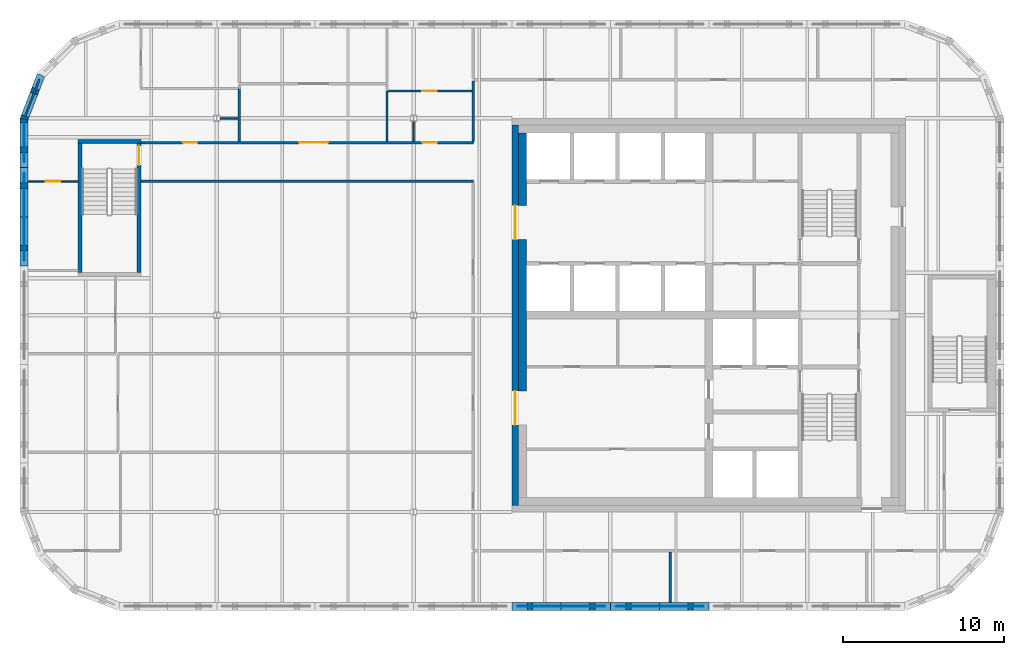
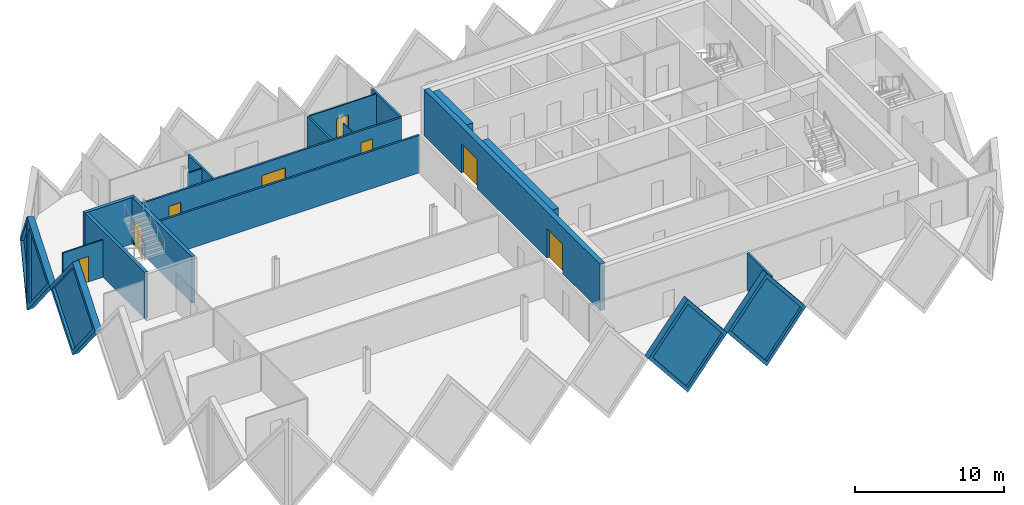
# One storey, part 4 of 10: 21 walls, 8 doors, 5 plates, 13 openings.
"""IFC4 building model written with IfcOpenShell, lengths in metres."""

from ifc_helpers import new_model, si_unit, direction, frame, frame_2d, origin, place, context, subcontext, project, spatial, polyline, rectangle, outline, extrude, faceted_brep, source, transform, mapped, material, layer, layer_set, type_object, element, fill, save


model = new_model("IFC4")

# Units and contexts
model_context = context("Model", 3, precision=1e-05, world=origin(), true_north=direction((0.0, 1.0)))
body_context = subcontext(model_context, "Body", "Model", "MODEL_VIEW")
ifc_project = project(units=[si_unit("LENGTHUNIT", "METRE"), si_unit("AREAUNIT", "SQUARE_METRE"), si_unit("VOLUMEUNIT", "CUBIC_METRE"), si_unit("PLANEANGLEUNIT", "RADIAN"), si_unit("MASSUNIT", "GRAM", prefix="KILO")], contexts=[model_context])

# Site, building, storey
site_placement = place(None, origin())
site = spatial("IfcSite", under=ifc_project, at=site_placement, CompositionType="ELEMENT")
building_placement = place(site_placement, origin())
building = spatial("IfcBuilding", under=site, at=building_placement, Name="Tessera Gate Towers", CompositionType="ELEMENT")
storey_placement = place(building_placement, frame((0.0, 0.0, 248.300048828125)))
storey = spatial("IfcBuildingStorey", under=building, at=storey_placement, Name="L62", CompositionType="ELEMENT", Elevation=248.300048828125)

# Walls
ifc_material_1 = material(Name="Concrete C40/50", Category="concrete")
ifc_layer_1 = layer(ifc_material_1, 0.25)
ifc_layer_set_1 = layer_set([ifc_layer_1], Name="CORE ENCLOSURE WALL 250")
wall_type_1 = type_object("IfcWallType", Name="CORE ENCLOSURE WALL 250", PredefinedType="SOLIDWALL", material=ifc_layer_set_1)
wall_1_placement = place(storey_placement, frame((3.72509765625, 39.25, 0.0), z_axis=(0.0, 0.0, 1.0), x_axis=(0.0, 1.0, 0.0)))
element("IfcWall", 1, at=wall_1_placement, inside=storey, type_object=wall_type_1, Name="L62 ST3 enclosure wall", PredefinedType="SOLIDWALL", context=body_context, shape_type="SweptSolid", body=[
    extrude(rectangle(XDim=8.0, YDim=0.25, at=frame_2d((4.0, 0.0))), origin(), (0.0, 0.0, 1.0), 3.800048828125),
])
wall_2_placement = place(storey_placement, frame((3.60009765625, 47.375, 0.0), z_axis=(0.0, 0.0, 1.0), x_axis=(1.0, 0.0, 0.0)))
element("IfcWall", 2, at=wall_2_placement, inside=storey, type_object=wall_type_1, Name="L62 ST3 enclosure wall", PredefinedType="SOLIDWALL", context=body_context, shape_type="SweptSolid", body=[
    extrude(rectangle(XDim=3.89990234375, YDim=0.25, at=frame_2d((1.949951171875, 0.0))), origin(), (0.0, 0.0, 1.0), 3.800048828125),
])

# Wall, opening, door
wall_3_placement = place(storey_placement, frame((7.375, 47.25, 0.0), z_axis=(0.0, 0.0, 1.0), x_axis=(0.0, -1.0, 0.0)))
wall_3 = element("IfcWall", 3, at=wall_3_placement, inside=storey, type_object=wall_type_1, Name="L62 ST3 enclosure wall", PredefinedType="SOLIDWALL", context=body_context, shape_type="SweptSolid", body=[
    extrude(rectangle(XDim=8.0, YDim=0.25, at=frame_2d((4.0, 0.0))), origin(), (0.0, 0.0, 1.0), 3.800048828125),
])
shared_shape_1 = source(origin(), body_context, "Body", "SweptSolid", [
    extrude(rectangle(XDim=1.199951171875, YDim=2.10009765625, at=frame_2d((0.60009765625, 1.050048828125))), frame((0.0, 0.135009765625, 0.0), z_axis=(0.0, -1.0, 0.0), x_axis=(1.0, 0.0, 0.0)), (0.0, 0.0, 1.0), 0.27001953125),
])
opening_1_placement = place(wall_3_placement, frame((0.14990234375, 0.0, 0.0)))
opening_1 = element("IfcOpeningElement", 4, at=opening_1_placement, cuts=wall_3, Name="Opening SD-ST3-1", PredefinedType="OPENING", context=body_context, shape_type="MappedRepresentation", body=[
    mapped(shared_shape_1, transform((0.0, 0.0, 0.0), scale=1.0)),
])
ifc_material_2 = material(Name="Hollow steel fire door", Category="steel")
door_type_1 = type_object("IfcDoorType", Name="CORE DOOR SD 1200x2100", OperationType="NOTDEFINED", PredefinedType="DOOR", material=ifc_material_2)
shared_shape_2 = source(origin(), body_context, "Body", "SweptSolid", [
    extrude(rectangle(XDim=1.199951171875, YDim=2.10009765625, at=frame_2d((0.60009765625, 1.050048828125))), frame((0.0, 0.02490234375, 0.0), z_axis=(0.0, -1.0, 0.0), x_axis=(1.0, 0.0, 0.0)), (0.0, 0.0, 1.0), 0.050048828125),
])
door_1_placement = place(opening_1_placement, origin())
door_1 = element("IfcDoor", 5, at=door_1_placement, inside=storey, type_object=door_type_1, Name="Stair door", OperationType="SINGLE_SWING_LEFT", OverallHeight=2.10009765625, OverallWidth=1.199951171875, PredefinedType="DOOR", context=body_context, shape_type="MappedRepresentation", body=[
    mapped(shared_shape_2, transform((0.0, 0.0, 0.0), scale=1.0)),
])
fill(opening_1, door_1)

# Wall, openings, doors
ifc_material_3 = material(Name="Concrete C40/50", Category="concrete")
ifc_layer_2 = layer(ifc_material_3, 0.39990234375)
ifc_layer_set_2 = layer_set([ifc_layer_2], Name="CORE SHEAR WALL 400 C40/50")
wall_type_2 = type_object("IfcWallType", Name="CORE SHEAR WALL 400 C40/50", PredefinedType="SHEAR", material=ifc_layer_set_2)
wall_4_placement = place(storey_placement, frame((30.699951171875, 24.800048828125, 0.0), z_axis=(0.0, 0.0, 1.0), x_axis=(0.0, 1.0, 0.0)))
wall_4 = element("IfcWall", 6, at=wall_4_placement, inside=storey, type_object=wall_type_2, Name="Core wall W L62", PredefinedType="SHEAR", context=body_context, shape_type="SweptSolid", body=[
    extrude(rectangle(XDim=23.599853515625, YDim=0.39990234375, at=frame_2d((11.7998046875, 0.0))), origin(), (0.0, 0.0, 1.0), 3.800048828125),
])
shared_shape_3 = source(origin(), body_context, "Body", "SweptSolid", [
    extrude(rectangle(XDim=2.10009765625, YDim=2.39990234375, at=frame_2d((1.050048828125, 1.199951171875))), frame((0.0, 0.2099609375, 0.0), z_axis=(0.0, -1.0, 0.0), x_axis=(1.0, 0.0, 0.0)), (0.0, 0.0, 1.0), 0.419921875),
])
opening_2_placement = place(wall_4_placement, frame((5.0, 0.0, 0.0)))
opening_2 = element("IfcOpeningElement", 7, at=opening_2_placement, cuts=wall_4, Name="Opening DD-T1-37-02", PredefinedType="OPENING", context=body_context, shape_type="MappedRepresentation", body=[
    mapped(shared_shape_3, transform((0.0, 0.0, 0.0), scale=1.0)),
])
opening_3_placement = place(wall_4_placement, frame((16.5, 0.0, 0.0)))
opening_3 = element("IfcOpeningElement", 8, at=opening_3_placement, cuts=wall_4, Name="Opening DD-T1-37-03", PredefinedType="OPENING", context=body_context, shape_type="MappedRepresentation", body=[
    mapped(shared_shape_3, transform((0.0, 0.0, 0.0), scale=1.0)),
])
ifc_material_4 = material(Name="Hollow steel fire door", Category="steel")
door_type_2 = type_object("IfcDoorType", Name="CORE DOOR DD 2100x2400", OperationType="NOTDEFINED", PredefinedType="DOOR", material=ifc_material_4)
shared_shape_4 = source(origin(), body_context, "Body", "SweptSolid", [
    extrude(rectangle(XDim=2.10009765625, YDim=2.39990234375, at=frame_2d((1.050048828125, 1.199951171875))), frame((0.0, 0.02490234375, 0.0), z_axis=(0.0, -1.0, 0.0), x_axis=(1.0, 0.0, 0.0)), (0.0, 0.0, 1.0), 0.050048828125),
])
door_2_placement = place(opening_2_placement, origin())
door_2 = element("IfcDoor", 9, at=door_2_placement, inside=storey, type_object=door_type_2, Name="Core entrance door", OperationType="DOUBLE_DOOR_SINGLE_SWING", OverallHeight=2.39990234375, OverallWidth=2.10009765625, PredefinedType="DOOR", context=body_context, shape_type="MappedRepresentation", body=[
    mapped(shared_shape_4, transform((0.0, 0.0, 0.0), scale=1.0)),
])
fill(opening_2, door_2)
door_3_placement = place(opening_3_placement, origin())
door_3 = element("IfcDoor", 10, at=door_3_placement, inside=storey, type_object=door_type_2, Name="Core entrance door", OperationType="DOUBLE_DOOR_SINGLE_SWING", OverallHeight=2.39990234375, OverallWidth=2.10009765625, PredefinedType="DOOR", context=body_context, shape_type="MappedRepresentation", body=[
    mapped(shared_shape_4, transform((0.0, 0.0, 0.0), scale=1.0)),
])
fill(opening_3, door_3)

# Walls
ifc_material_5 = material(Name="Concrete C40/50", Category="concrete")
ifc_layer_3 = layer(ifc_material_5, 0.5)
ifc_layer_set_3 = layer_set([ifc_layer_3], Name="CORE WALL THICKENING 500")
wall_type_3 = type_object("IfcWallType", Name="CORE WALL THICKENING 500", PredefinedType="SOLIDWALL", material=ifc_layer_set_3)
wall_5_placement = place(storey_placement, frame((31.14990234375, 31.89990234375, 0.0), z_axis=(0.0, 0.0, 1.0), x_axis=(0.0, 1.0, 0.0)))
element("IfcWall", 11, at=wall_5_placement, inside=storey, type_object=wall_type_3, Name="Core wall thickening W L62", PredefinedType="SOLIDWALL", context=body_context, shape_type="SweptSolid", body=[
    extrude(rectangle(XDim=9.400146484375, YDim=0.5, at=frame_2d((4.7001953125, 0.0))), origin(), (0.0, 0.0, 1.0), 3.800048828125),
])
wall_6_placement = place(storey_placement, frame((31.14990234375, 43.39990234375, 0.0), z_axis=(0.0, 0.0, 1.0), x_axis=(0.0, 1.0, 0.0)))
element("IfcWall", 12, at=wall_6_placement, inside=storey, type_object=wall_type_3, Name="Core wall thickening W L62", PredefinedType="SOLIDWALL", context=body_context, shape_type="SweptSolid", body=[
    extrude(rectangle(XDim=4.5, YDim=0.5, at=frame_2d((2.25, 0.0))), origin(), (0.0, 0.0, 1.0), 3.800048828125),
])
ifc_material_6 = material(Name="Gypsum board on steel studs, mineral wool", Category="steel")
ifc_layer_4 = layer(ifc_material_6, 0.14990234375)
ifc_layer_set_4 = layer_set([ifc_layer_4], Name="CORRIDOR WALL 150")
wall_type_4 = type_object("IfcWallType", Name="CORRIDOR WALL 150", PredefinedType="PARTITIONING", material=ifc_layer_set_4)
wall_7_placement = place(storey_placement, frame((7.5, 44.89990234375, 0.0), z_axis=(0.0, 0.0, 1.0), x_axis=(1.0, 0.0, 0.0)))
element("IfcWall", 13, at=wall_7_placement, inside=storey, type_object=wall_type_4, Name="T1-L62-PW-018", PredefinedType="PARTITIONING", context=body_context, shape_type="SweptSolid", body=[
    extrude(rectangle(XDim=20.60009765625, YDim=0.14990234375, at=frame_2d((10.300048828125, 0.0))), origin(), (0.0, 0.0, 1.0), 3.06689453125),
])

# Wall, openings, doors
wall_8_placement = place(storey_placement, frame((7.5, 47.300048828125, 0.0), z_axis=(0.0, 0.0, 1.0), x_axis=(1.0, 0.0, 0.0)))
wall_8 = element("IfcWall", 14, at=wall_8_placement, inside=storey, type_object=wall_type_4, Name="T1-L62-PW-019", PredefinedType="PARTITIONING", context=body_context, shape_type="SweptSolid", body=[
    extrude(rectangle(XDim=20.60009765625, YDim=0.14990234375, at=frame_2d((10.300048828125, 0.0))), origin(), (0.0, 0.0, 1.0), 3.06689453125),
])
shared_shape_5 = source(origin(), body_context, "Body", "SweptSolid", [
    extrude(rectangle(XDim=0.89990234375, YDim=2.10009765625, at=frame_2d((0.449951171875, 1.050048828125))), frame((0.0, 0.0849609375, 0.0), z_axis=(0.0, -1.0, 0.0), x_axis=(1.0, 0.0, 0.0)), (0.0, 0.0, 1.0), 0.169921875),
])
opening_4_placement = place(wall_8_placement, frame((17.450927734375, 0.0, 0.0)))
opening_4 = element("IfcOpeningElement", 15, at=opening_4_placement, cuts=wall_8, Name="Opening D890FD60-A21-02", PredefinedType="OPENING", context=body_context, shape_type="MappedRepresentation", body=[
    mapped(shared_shape_5, transform((0.0, 0.0, 0.0), scale=1.0)),
])
opening_5_placement = place(wall_8_placement, frame((2.60009765625, 0.0, 0.0)))
opening_5 = element("IfcOpeningElement", 16, at=opening_5_placement, cuts=wall_8, Name="Opening D890FD60-A21-05", PredefinedType="OPENING", context=body_context, shape_type="MappedRepresentation", body=[
    mapped(shared_shape_5, transform((0.0, 0.0, 0.0), scale=1.0)),
])
shared_shape_6 = source(origin(), body_context, "Body", "SweptSolid", [
    extrude(rectangle(XDim=1.800048828125, YDim=2.10009765625, at=frame_2d((0.89990234375, 1.050048828125))), frame((0.0, 0.0849609375, 0.0), z_axis=(0.0, -1.0, 0.0), x_axis=(1.0, 0.0, 0.0)), (0.0, 0.0, 1.0), 0.169921875),
])
opening_6_placement = place(wall_8_placement, frame((9.800048828125, 0.0, 0.0)))
opening_6 = element("IfcOpeningElement", 17, at=opening_6_placement, cuts=wall_8, Name="Opening D2180FD60-A21-01", PredefinedType="OPENING", context=body_context, shape_type="MappedRepresentation", body=[
    mapped(shared_shape_6, transform((0.0, 0.0, 0.0), scale=1.0)),
])
ifc_material_7 = material(Name="Timber door leaf in steel frame", Category="steel")
door_type_3 = type_object("IfcDoorType", Name="CORRIDOR DOOR 900 FD60", OperationType="NOTDEFINED", PredefinedType="DOOR", material=ifc_material_7)
shared_shape_7 = source(origin(), body_context, "Body", "SweptSolid", [
    extrude(rectangle(XDim=0.89990234375, YDim=2.10009765625, at=frame_2d((0.449951171875, 1.050048828125))), frame((0.0, 0.02490234375, 0.0), z_axis=(0.0, -1.0, 0.0), x_axis=(1.0, 0.0, 0.0)), (0.0, 0.0, 1.0), 0.050048828125),
])
door_4_placement = place(opening_4_placement, origin())
door_4 = element("IfcDoor", 18, at=door_4_placement, inside=storey, type_object=door_type_3, Name="T1-L62-PD-005", OperationType="SINGLE_SWING_LEFT", OverallHeight=2.10009765625, OverallWidth=0.89990234375, PredefinedType="DOOR", context=body_context, shape_type="MappedRepresentation", body=[
    mapped(shared_shape_7, transform((0.0, 0.0, 0.0), scale=1.0)),
])
fill(opening_4, door_4)
door_5_placement = place(opening_5_placement, origin())
door_5 = element("IfcDoor", 19, at=door_5_placement, inside=storey, type_object=door_type_3, Name="T1-L62-PD-009", OperationType="SINGLE_SWING_LEFT", OverallHeight=2.10009765625, OverallWidth=0.89990234375, PredefinedType="DOOR", context=body_context, shape_type="MappedRepresentation", body=[
    mapped(shared_shape_7, transform((0.0, 0.0, 0.0), scale=1.0)),
])
fill(opening_5, door_5)
ifc_material_8 = material(Name="Timber door leaf in steel frame", Category="steel")
door_type_4 = type_object("IfcDoorType", Name="TENANCY ENTRANCE DOUBLE DOOR 1800 FD60", OperationType="NOTDEFINED", PredefinedType="DOOR", material=ifc_material_8)
shared_shape_8 = source(origin(), body_context, "Body", "SweptSolid", [
    extrude(rectangle(XDim=1.800048828125, YDim=2.10009765625, at=frame_2d((0.89990234375, 1.050048828125))), frame((0.0, 0.02490234375, 0.0), z_axis=(0.0, -1.0, 0.0), x_axis=(1.0, 0.0, 0.0)), (0.0, 0.0, 1.0), 0.050048828125),
])
door_6_placement = place(opening_6_placement, origin())
door_6 = element("IfcDoor", 20, at=door_6_placement, inside=storey, type_object=door_type_4, Name="T1-L62-PD-012", OperationType="DOUBLE_DOOR_SINGLE_SWING", OverallHeight=2.10009765625, OverallWidth=1.800048828125, PredefinedType="DOOR", context=body_context, shape_type="MappedRepresentation", body=[
    mapped(shared_shape_8, transform((0.0, 0.0, 0.0), scale=1.0)),
])
fill(opening_6, door_6)

# Wall
wall_9_placement = place(storey_placement, frame((28.10009765625, 47.3759765625, 0.0), z_axis=(0.0, 0.0, 1.0), x_axis=(0.0, 1.0, 0.0)))
element("IfcWall", 21, at=wall_9_placement, inside=storey, type_object=wall_type_4, Name="T1-L62-PW-022", PredefinedType="PARTITIONING", context=body_context, shape_type="SweptSolid", body=[
    extrude(rectangle(XDim=3.748046875, YDim=0.14990234375, at=frame_2d((1.8740234375, 0.0))), origin(), (0.0, 0.0, 1.0), 3.06689453125),
])

# Wall, opening, door
ifc_material_9 = material(Name="Glass", Category="glass")
ifc_layer_5 = layer(ifc_material_9, 0.10009765625)
ifc_layer_set_5 = layer_set([ifc_layer_5], Name="GLAZED PARTITION 100")
wall_type_5 = type_object("IfcWallType", Name="GLAZED PARTITION 100", PredefinedType="PARTITIONING", material=ifc_layer_set_5)
wall_10_placement = place(storey_placement, frame((3.60009765625, 44.89990234375, 0.0), z_axis=(0.0, 0.0, 1.0), x_axis=(-1.0, 0.0, 0.0)))
wall_10 = element("IfcWall", 22, at=wall_10_placement, inside=storey, type_object=wall_type_5, Name="T1-L62-PW-017", PredefinedType="PARTITIONING", context=body_context, shape_type="SweptSolid", body=[
    extrude(rectangle(XDim=3.10009765625, YDim=0.10009765625, at=frame_2d((1.550048828125, 0.0))), origin(), (0.0, 0.0, 1.0), 3.06689453125),
])
shared_shape_9 = source(origin(), body_context, "Body", "SweptSolid", [
    extrude(rectangle(XDim=0.89990234375, YDim=2.10009765625, at=frame_2d((0.449951171875, 1.050048828125))), frame((0.0, 0.06005859375, 0.0), z_axis=(0.0, -1.0, 0.0), x_axis=(1.0, 0.0, 0.0)), (0.0, 0.0, 1.0), 0.1201171875),
])
opening_7_placement = place(wall_10_placement, frame((1.10009765625, 0.0, 0.0)))
opening_7 = element("IfcOpeningElement", 23, at=opening_7_placement, cuts=wall_10, Name="Opening D690-A21-01", PredefinedType="OPENING", context=body_context, shape_type="MappedRepresentation", body=[
    mapped(shared_shape_9, transform((0.0, 0.0, 0.0), scale=1.0)),
])
ifc_material_10 = material(Name="Glass in aluminium frame", Category="aluminium")
door_type_5 = type_object("IfcDoorType", Name="GLAZED DOOR 900 NOT RATED", OperationType="NOTDEFINED", PredefinedType="DOOR", material=ifc_material_10)
door_7_placement = place(opening_7_placement, origin())
door_7 = element("IfcDoor", 24, at=door_7_placement, inside=storey, type_object=door_type_5, Name="T1-L62-PD-001", OperationType="SINGLE_SWING_RIGHT", OverallHeight=2.10009765625, OverallWidth=0.89990234375, PredefinedType="DOOR", context=body_context, shape_type="MappedRepresentation", body=[
    mapped(shared_shape_7, transform((0.0, 0.0, 0.0), scale=1.0)),
])
fill(opening_7, door_7)

wall_11_placement = place(storey_placement, frame((22.825927734375, 50.5, 0.0), z_axis=(0.0, 0.0, 1.0), x_axis=(1.0, 0.0, 0.0)))
wall_11 = element("IfcWall", 25, at=wall_11_placement, inside=storey, type_object=wall_type_5, Name="T1-L62-PW-026", PredefinedType="PARTITIONING", context=body_context, shape_type="SweptSolid", body=[
    extrude(rectangle(XDim=5.197998046875, YDim=0.10009765625, at=frame_2d((2.59912109375, 0.0))), origin(), (0.0, 0.0, 1.0), 3.06689453125),
])
opening_8_placement = place(wall_11_placement, frame((2.10009765625, 0.0, 0.0)))
opening_8 = element("IfcOpeningElement", 26, at=opening_8_placement, cuts=wall_11, Name="Opening D690-A21-03", PredefinedType="OPENING", context=body_context, shape_type="MappedRepresentation", body=[
    mapped(shared_shape_9, transform((0.0, 0.0, 0.0), scale=1.0)),
])
door_8_placement = place(opening_8_placement, origin())
door_8 = element("IfcDoor", 27, at=door_8_placement, inside=storey, type_object=door_type_5, Name="T1-L62-PD-004", OperationType="SINGLE_SWING_LEFT", OverallHeight=2.10009765625, OverallWidth=0.89990234375, PredefinedType="DOOR", context=body_context, shape_type="MappedRepresentation", body=[
    mapped(shared_shape_7, transform((0.0, 0.0, 0.0), scale=1.0)),
])
fill(opening_8, door_8)

# Walls
ifc_material_11 = material(Name="Gypsum board on steel studs", Category="steel")
ifc_layer_6 = layer(ifc_material_11, 0.10009765625)
ifc_layer_set_6 = layer_set([ifc_layer_6], Name="PARTITION 100")
wall_type_6 = type_object("IfcWallType", Name="PARTITION 100", PredefinedType="PARTITIONING", material=ifc_layer_set_6)
wall_12_placement = place(storey_placement, frame((24.39990234375, 48.60009765625, 0.0), z_axis=(0.0, 0.0, 1.0), x_axis=(0.0, -1.0, 0.0)))
element("IfcWall", 28, at=wall_12_placement, inside=storey, type_object=wall_type_6, Name="T1-L62-PW-023", PredefinedType="PARTITIONING", context=body_context, shape_type="SweptSolid", body=[
    extrude(rectangle(XDim=1.22509765625, YDim=0.10009765625, at=frame_2d((0.612548828125, 0.0))), origin(), (0.0, 0.0, 1.0), 3.06689453125),
])
wall_13_placement = place(storey_placement, frame((12.39990234375, 48.800048828125, 0.0), z_axis=(0.0, 0.0, 1.0), x_axis=(1.0, 0.0, 0.0)))
element("IfcWall", 29, at=wall_13_placement, inside=storey, type_object=wall_type_6, Name="T1-L62-PW-024", PredefinedType="PARTITIONING", context=body_context, shape_type="SweptSolid", body=[
    extrude(rectangle(XDim=1.125, YDim=0.10009765625, at=frame_2d((0.5625, 0.0))), origin(), (0.0, 0.0, 1.0), 3.06689453125),
])
ifc_material_12 = material(Name="Gypsum board on steel studs, mineral wool", Category="steel")
ifc_layer_7 = layer(ifc_material_12, 0.14990234375)
ifc_layer_set_7 = layer_set([ifc_layer_7], Name="TENANCY WALL 150")
wall_type_7 = type_object("IfcWallType", Name="TENANCY WALL 150", PredefinedType="PARTITIONING", material=ifc_layer_set_7)
wall_14_placement = place(storey_placement, frame((40.300048828125, 18.800048828125, 0.0), z_axis=(0.0, 0.0, 1.0), x_axis=(0.0, 1.0, 0.0)))
element("IfcWall", 30, at=wall_14_placement, inside=storey, type_object=wall_type_7, Name="T1-L62-PW-002", PredefinedType="PARTITIONING", context=body_context, shape_type="SweptSolid", body=[
    extrude(rectangle(XDim=3.1240234375, YDim=0.14990234375, at=frame_2d((1.56201171875, 0.0))), origin(), (0.0, 0.0, 1.0), 3.06689453125),
])
wall_15_placement = place(storey_placement, frame((13.60009765625, 47.3759765625, 0.0), z_axis=(0.0, 0.0, 1.0), x_axis=(0.0, 1.0, 0.0)))
element("IfcWall", 31, at=wall_15_placement, inside=storey, type_object=wall_type_7, Name="T1-L62-PW-020", PredefinedType="PARTITIONING", context=body_context, shape_type="SweptSolid", body=[
    extrude(rectangle(XDim=3.27392578125, YDim=0.14990234375, at=frame_2d((1.636962890625, 0.0))), origin(), (0.0, 0.0, 1.0), 3.06689453125),
])
wall_16_placement = place(storey_placement, frame((22.75, 47.3759765625, 0.0), z_axis=(0.0, 0.0, 1.0), x_axis=(0.0, 1.0, 0.0)))
element("IfcWall", 32, at=wall_16_placement, inside=storey, type_object=wall_type_7, Name="T1-L62-PW-021", PredefinedType="PARTITIONING", context=body_context, shape_type="SweptSolid", body=[
    extrude(rectangle(XDim=3.1240234375, YDim=0.14990234375, at=frame_2d((1.56201171875, 0.0))), origin(), (0.0, 0.0, 1.0), 3.06689453125),
])

# Wall, opening, plate
ifc_material_13 = material(Name="Precast concrete C60/75 white", Category="concrete")
ifc_layer_8 = layer(ifc_material_13, 0.5)
ifc_layer_set_8 = layer_set([ifc_layer_8], Name="TS1 tessera")
wall_type_8 = type_object("IfcWallType", Name="TS1 tessera", PredefinedType="SOLIDWALL", material=ifc_layer_set_8)
shared_shape_10 = source(origin(), body_context, "Body", "Brep", [
    faceted_brep([(3.050048828125, -0.25, 0.0), (6.099853515625, -0.25, 3.7998046875), (6.099853515625, -0.25, 3.80029296875), (3.050048828125, -0.25, 7.60009765625), (0.0, -0.25, 3.800048828125), (0.0, 0.25, 3.800048828125), (3.050048828125, 0.25, 7.60009765625), (6.099853515625, 0.25, 3.80029296875), (6.099853515625, 0.25, 3.7998046875), (3.050048828125, 0.25, 0.0)], [[[0, 1, 2, 3, 4]], [[5, 6, 7, 8, 9]], [[9, 8, 1, 0]], [[7, 6, 3, 2]], [[6, 5, 4, 3]], [[5, 9, 0, 4]], [[1, 8, 7, 2]]]),
])
wall_17_placement = place(storey_placement, frame((36.60009765625, 18.550048828125, -3.800048828125), z_axis=(0.0, 0.0, 1.0), x_axis=(1.0, 0.0, 0.0)))
wall_17 = element("IfcWall", 33, at=wall_17_placement, inside=storey, type_object=wall_type_8, Name="Precast tessera T1 TS1-1084", PredefinedType="SOLIDWALL", context=body_context, shape_type="MappedRepresentation", body=[
    mapped(shared_shape_10, transform((0.0, 0.0, 0.0), scale=1.0)),
])
shared_shape_11 = source(origin(), body_context, "Body", "SweptSolid", [
    extrude(outline(polyline([(3.050048828125, 0.3994140625), (5.779541015625, 3.800048828125), (3.050048828125, 7.20068359375), (0.320556640625, 3.800048828125), (3.050048828125, 0.3994140625)])), frame((0.0, 0.260009765625, 0.0), z_axis=(0.0, -1.0, 0.0), x_axis=(1.0, 0.0, 0.0)), (0.0, 0.0, 1.0), 0.52001953125),
])
opening_9_placement = place(wall_17_placement, origin())
opening_9 = element("IfcOpeningElement", 34, at=opening_9_placement, cuts=wall_17, Name="Opening T1-PL2-2200", PredefinedType="OPENING", context=body_context, shape_type="MappedRepresentation", body=[
    mapped(shared_shape_11, transform((0.0, 0.0, 0.0), scale=1.0)),
])
ifc_material_14 = material(Name="Low-e laminated glass", Category="glass")
ifc_layer_9 = layer(ifc_material_14, 0.06005859375)
ifc_layer_set_9 = layer_set([ifc_layer_9], Name="PL2 rhombic pane")
plate_type = type_object("IfcPlateType", Name="PL2 rhombic pane", PredefinedType="SHEET", material=ifc_layer_set_9)
shared_shape_12 = source(origin(), body_context, "Body", "SweptSolid", [
    extrude(outline(polyline([(3.050048828125, 0.3994140625), (5.779541015625, 3.800048828125), (3.050048828125, 7.20068359375), (0.320556640625, 3.800048828125), (3.050048828125, 0.3994140625)])), frame((0.0, 0.030029296875, 0.0), z_axis=(0.0, -1.0, 0.0), x_axis=(1.0, 0.0, 0.0)), (0.0, 0.0, 1.0), 0.06005859375),
])
plate_1_placement = place(opening_9_placement, origin())
plate_1 = element("IfcPlate", 35, at=plate_1_placement, inside=storey, type_object=plate_type, Name="Glass pane T1 PL2-2200", PredefinedType="SHEET", context=body_context, shape_type="MappedRepresentation", body=[
    mapped(shared_shape_12, transform((0.0, 0.0, 0.0), scale=1.0)),
])
fill(opening_9, plate_1)

shared_shape_13 = source(origin(), body_context, "Body", "SweptSolid", [
    extrude(outline(polyline([(3.050048828125, 0.0), (6.10009765625, 3.800048828125), (3.050048828125, 7.60009765625), (0.0, 3.800048828125), (3.050048828125, 0.0)])), frame((0.0, 0.25, 0.0), z_axis=(0.0, -1.0, 0.0), x_axis=(1.0, 0.0, 0.0)), (0.0, 0.0, 1.0), 0.5),
])
wall_18_placement = place(storey_placement, frame((30.5, 18.550048828125, -3.800048828125), z_axis=(0.0, 0.0, 1.0), x_axis=(1.0, 0.0, 0.0)))
wall_18 = element("IfcWall", 36, at=wall_18_placement, inside=storey, type_object=wall_type_8, Name="Precast tessera T1 TS1-1083", PredefinedType="SOLIDWALL", context=body_context, shape_type="MappedRepresentation", body=[
    mapped(shared_shape_13, transform((0.0, 0.0, 0.0), scale=1.0)),
])
opening_10_placement = place(wall_18_placement, origin())
opening_10 = element("IfcOpeningElement", 37, at=opening_10_placement, cuts=wall_18, Name="Opening T1-PL2-2199", PredefinedType="OPENING", context=body_context, shape_type="MappedRepresentation", body=[
    mapped(shared_shape_11, transform((0.0, 0.0, 0.0), scale=1.0)),
])
plate_2_placement = place(opening_10_placement, origin())
plate_2 = element("IfcPlate", 38, at=plate_2_placement, inside=storey, type_object=plate_type, Name="Glass pane T1 PL2-2199", PredefinedType="SHEET", context=body_context, shape_type="MappedRepresentation", body=[
    mapped(shared_shape_12, transform((0.0, 0.0, 0.0), scale=1.0)),
])
fill(opening_10, plate_2)

wall_19_placement = place(storey_placement, frame((0.25, 45.75, -3.800048828125), z_axis=(0.0, 0.0, 1.0), x_axis=(0.0, -1.0, 0.0)))
wall_19 = element("IfcWall", 39, at=wall_19_placement, inside=storey, type_object=wall_type_8, Name="Precast tessera T1 TS1-1098", PredefinedType="SOLIDWALL", context=body_context, shape_type="MappedRepresentation", body=[
    mapped(shared_shape_13, transform((0.0, 0.0, 0.0), scale=1.0)),
])
opening_11_placement = place(wall_19_placement, origin())
opening_11 = element("IfcOpeningElement", 40, at=opening_11_placement, cuts=wall_19, Name="Opening T1-PL2-2226", PredefinedType="OPENING", context=body_context, shape_type="MappedRepresentation", body=[
    mapped(shared_shape_11, transform((0.0, 0.0, 0.0), scale=1.0)),
])
plate_3_placement = place(opening_11_placement, origin())
plate_3 = element("IfcPlate", 41, at=plate_3_placement, inside=storey, type_object=plate_type, Name="Glass pane T1 PL2-2226", PredefinedType="SHEET", context=body_context, shape_type="MappedRepresentation", body=[
    mapped(shared_shape_12, transform((0.0, 0.0, 0.0), scale=1.0)),
])
fill(opening_11, plate_3)

ifc_material_15 = material(Name="Precast concrete C60/75 white", Category="concrete")
ifc_layer_10 = layer(ifc_material_15, 0.5)
ifc_layer_set_10 = layer_set([ifc_layer_10], Name="TS3 corner tessera")
wall_type_9 = type_object("IfcWallType", Name="TS3 corner tessera", PredefinedType="SOLIDWALL", material=ifc_layer_set_10)
shared_shape_14 = source(origin(), body_context, "Body", "Brep", [
    faceted_brep([(0.046630859375, -0.25, 0.0), (3.050048828125, -0.25, 3.800048828125), (0.046630859375, -0.25, 7.60009765625), (0.0, -0.25, 7.5400390625), (0.0, -0.25, 0.06005859375), (0.09326171875, 0.25, 7.541259765625), (3.050048828125, 0.25, 3.800048828125), (0.09326171875, 0.25, 0.058837890625), (0.046630859375, 0.0, 0.0), (0.046630859375, 0.0, 7.60009765625)], [[[0, 1, 2, 3, 4]], [[5, 6, 7]], [[7, 6, 1, 0, 8]], [[6, 5, 9, 2, 1]], [[3, 2, 9]], [[8, 0, 4]], [[7, 8, 4, 3, 9, 5]]]),
])
wall_20_placement = place(storey_placement, frame((0.25, 48.800048828125, -3.800048828125), z_axis=(0.0, 0.0, 1.0), x_axis=(0.0, -1.0, 0.0)))
wall_20 = element("IfcWall", 42, at=wall_20_placement, inside=storey, type_object=wall_type_9, Name="Precast corner tessera T1 TS3-1428", PredefinedType="SOLIDWALL", context=body_context, shape_type="MappedRepresentation", body=[
    mapped(shared_shape_14, transform((0.0, 0.0, 0.0), scale=1.0)),
])
shared_shape_15 = source(origin(), body_context, "Body", "SweptSolid", [
    extrude(outline(polyline([(0.24658203125, 0.65625), (2.7314453125, 3.800048828125), (0.24658203125, 6.94384765625), (0.24658203125, 0.65625)])), frame((0.0, 0.260009765625, 0.0), z_axis=(0.0, -1.0, 0.0), x_axis=(1.0, 0.0, 0.0)), (0.0, 0.0, 1.0), 0.52001953125),
])
opening_12_placement = place(wall_20_placement, origin())
opening_12 = element("IfcOpeningElement", 43, at=opening_12_placement, cuts=wall_20, Name="Opening T1-PL2-2225", PredefinedType="OPENING", context=body_context, shape_type="MappedRepresentation", body=[
    mapped(shared_shape_15, transform((0.0, 0.0, 0.0), scale=1.0)),
])
shared_shape_16 = source(origin(), body_context, "Body", "SweptSolid", [
    extrude(outline(polyline([(0.24658203125, 0.65625), (2.7314453125, 3.800048828125), (0.24658203125, 6.94384765625), (0.24658203125, 0.65625)])), frame((0.0, 0.030029296875, 0.0), z_axis=(0.0, -1.0, 0.0), x_axis=(1.0, 0.0, 0.0)), (0.0, 0.0, 1.0), 0.06005859375),
])
plate_4_placement = place(opening_12_placement, origin())
plate_4 = element("IfcPlate", 44, at=plate_4_placement, inside=storey, type_object=plate_type, Name="Glass pane T1 PL2-2225", PredefinedType="SHEET", context=body_context, shape_type="MappedRepresentation", body=[
    mapped(shared_shape_16, transform((0.0, 0.0, 0.0), scale=1.0)),
])
fill(opening_12, plate_4)

shared_shape_17 = source(origin(), body_context, "Body", "Brep", [
    faceted_brep([(2.950439453125, -0.25, 0.0), (2.9970703125, -0.25, 0.05908203125), (2.9970703125, -0.25, 7.541015625), (2.950439453125, -0.25, 7.60009765625), (0.0, -0.25, 3.800048828125), (0.052978515625, 0.25, 3.8681640625), (2.904052734375, 0.25, 7.540283203125), (2.904052734375, 0.25, 0.059814453125), (0.052978515625, 0.25, 3.73193359375), (2.950439453125, 0.00048828125, 0.0), (2.950439453125, 0.00048828125, 7.60009765625), (0.0, 0.0, 3.800048828125)], [[[0, 1, 2, 3, 4]], [[5, 6, 7, 8]], [[1, 0, 9]], [[10, 3, 2]], [[6, 5, 11, 4, 3, 10]], [[8, 7, 9, 0, 4, 11]], [[8, 11, 5]], [[1, 9, 7, 6, 10, 2]]]),
])
wall_21_placement = place(storey_placement, frame((1.31201171875, 51.50634765625, -3.800048828125), z_axis=(0.0, 0.0, 1.0), x_axis=(-0.359944998003, -0.932973525033, 0.0)))
wall_21 = element("IfcWall", 45, at=wall_21_placement, inside=storey, type_object=wall_type_9, Name="Precast corner tessera T1 TS3-1427", PredefinedType="SOLIDWALL", context=body_context, shape_type="MappedRepresentation", body=[
    mapped(shared_shape_17, transform((0.0, 0.0, 0.0), scale=1.0)),
])
shared_shape_18 = source(origin(), body_context, "Body", "SweptSolid", [
    extrude(outline(polyline([(2.75048828125, 6.934814453125), (0.31640625, 3.800048828125), (2.75048828125, 0.665283203125), (2.75048828125, 6.934814453125)])), frame((0.0, 0.260009765625, 0.0), z_axis=(0.0, -1.0, 0.0), x_axis=(1.0, 0.0, 0.0)), (0.0, 0.0, 1.0), 0.52001953125),
])
opening_13_placement = place(wall_21_placement, origin())
opening_13 = element("IfcOpeningElement", 46, at=opening_13_placement, cuts=wall_21, Name="Opening T1-PL2-2224", PredefinedType="OPENING", context=body_context, shape_type="MappedRepresentation", body=[
    mapped(shared_shape_18, transform((0.0, 0.0, 0.0), scale=1.0)),
])
shared_shape_19 = source(origin(), body_context, "Body", "SweptSolid", [
    extrude(outline(polyline([(2.75048828125, 6.934814453125), (0.31640625, 3.800048828125), (2.75048828125, 0.665283203125), (2.75048828125, 6.934814453125)])), frame((0.0, 0.030029296875, 0.0), z_axis=(0.0, -1.0, 0.0), x_axis=(1.0, 0.0, 0.0)), (0.0, 0.0, 1.0), 0.06005859375),
])
plate_5_placement = place(opening_13_placement, origin())
plate_5 = element("IfcPlate", 47, at=plate_5_placement, inside=storey, type_object=plate_type, Name="Glass pane T1 PL2-2224", PredefinedType="SHEET", context=body_context, shape_type="MappedRepresentation", body=[
    mapped(shared_shape_19, transform((0.0, 0.0, 0.0), scale=1.0)),
])
fill(opening_13, plate_5)

save(model, "model.ifc")
